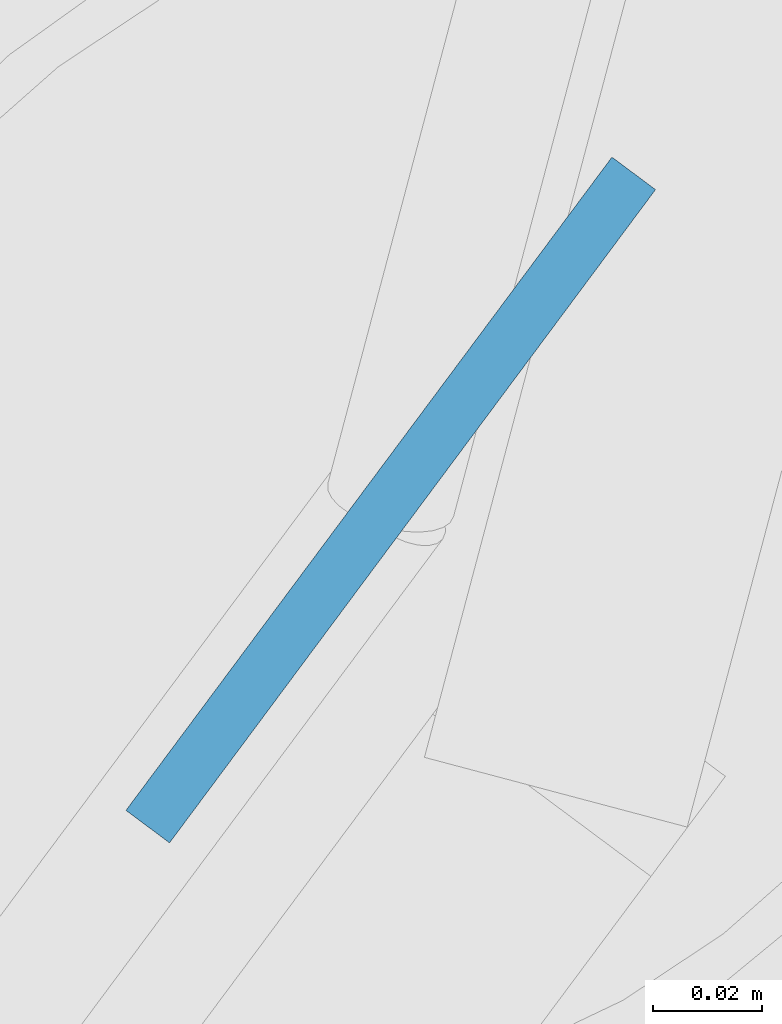
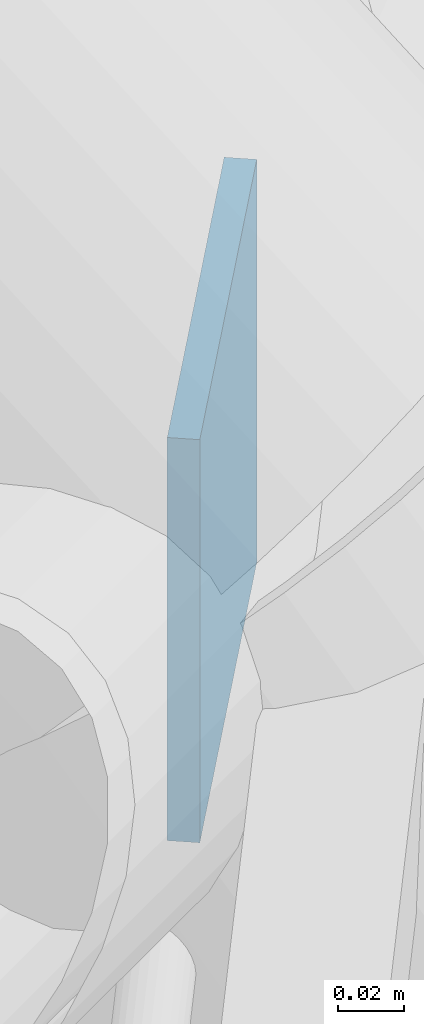
# One storey, part 43 of 62: 1 discrete accessory.
"""IFC4 building model written with IfcOpenShell, lengths in metres."""

from ifc_helpers import new_model, si_unit, direction, frame, origin, origin_2d, place, context, subcontext, project, spatial, rectangle, extrude, material, type_object, element, save


model = new_model("IFC4")

# Units and contexts
model_context = context("Model", 3, precision=1e-05, world=origin(), true_north=direction((0.0, 1.0)))
body_context = subcontext(model_context, "Body", "Model", "MODEL_VIEW")
ifc_project = project(units=[si_unit("LENGTHUNIT", "METRE"), si_unit("AREAUNIT", "SQUARE_METRE"), si_unit("VOLUMEUNIT", "CUBIC_METRE"), si_unit("PLANEANGLEUNIT", "RADIAN"), si_unit("MASSUNIT", "GRAM", prefix="KILO")], contexts=[model_context])

# Site, building, storey
site_placement = place(None, origin())
site = spatial("IfcSite", under=ifc_project, at=site_placement, CompositionType="ELEMENT")
building_placement = place(site_placement, origin())
building = spatial("IfcBuilding", under=site, at=building_placement, Name="Hortulan Conservatory and Botanical Research Centre", CompositionType="ELEMENT")
storey_placement = place(building_placement, frame((0.0, 0.0, 15.0)))
storey = spatial("IfcBuildingStorey", under=building, at=storey_placement, Name="L03", CompositionType="ELEMENT", Elevation=15.0)

# Discrete accessory
ifc_material = material(Name="Steel Grade 300 plate (AS/NZS 3678, 280 MPa minimum yield)", Category="steel")
discrete_accessory_type = type_object("IfcDiscreteAccessoryType", Name="End Plate 150x10", PredefinedType="BRACKET", material=ifc_material)
discrete_accessory_placement = place(storey_placement, frame((62.585205078125, 6.811767578125, 2.636962890625), z_axis=(0.0, 0.0, 1.0), x_axis=(0.596897232455, 0.802317701342, 0.0)))
element("IfcDiscreteAccessory", 1, at=discrete_accessory_placement, inside=storey, type_object=discrete_accessory_type, Name="Dome rod end plate", PredefinedType="BRACKET", context=body_context, shape_type="SweptSolid", body=[
    extrude(rectangle(XDim=0.14990234375, YDim=0.010009765625, at=origin_2d()), origin(), (0.0, 0.0, 1.0), 0.14990234375),
])

save(model, "model.ifc")
